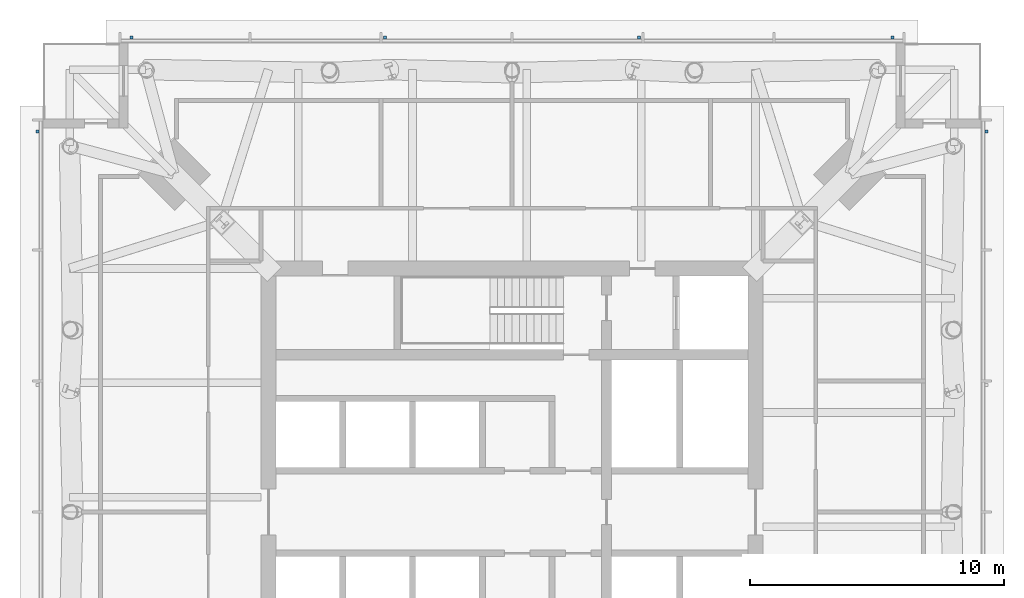
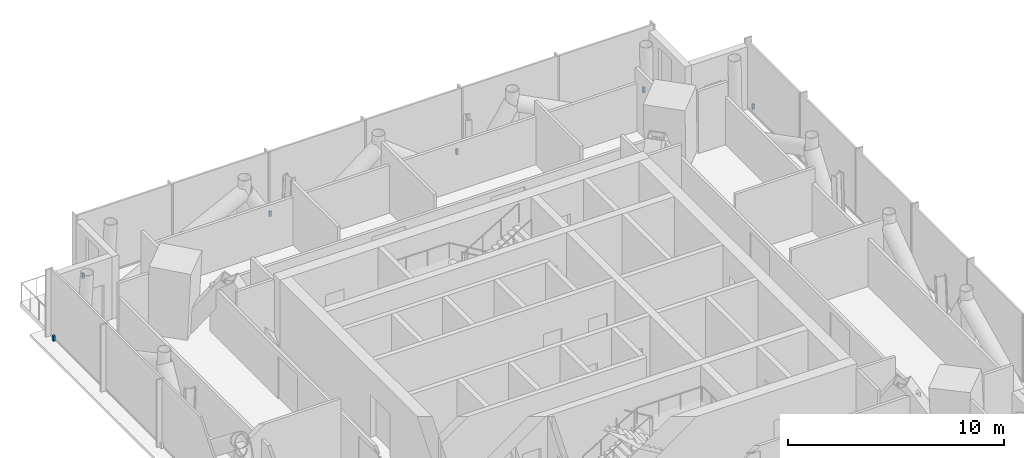
# One storey, part 9 of 10: 6 discrete accessories.
"""IFC4 building model written with IfcOpenShell, lengths in metres."""

from ifc_helpers import new_model, si_unit, direction, frame, origin, origin_2d, place, context, subcontext, project, spatial, rectangle, extrude, material, type_object, element, save


model = new_model("IFC4")

# Units and contexts
model_context = context("Model", 3, precision=1e-05, world=origin(), true_north=direction((0.0, 1.0)))
body_context = subcontext(model_context, "Body", "Model", "MODEL_VIEW")
ifc_project = project(units=[si_unit("LENGTHUNIT", "METRE"), si_unit("AREAUNIT", "SQUARE_METRE"), si_unit("VOLUMEUNIT", "CUBIC_METRE"), si_unit("PLANEANGLEUNIT", "RADIAN"), si_unit("MASSUNIT", "GRAM", prefix="KILO")], contexts=[model_context])

# Site, building, storey
site_placement = place(None, origin())
site = spatial("IfcSite", under=ifc_project, at=site_placement, CompositionType="ELEMENT")
building_placement = place(site_placement, origin())
building = spatial("IfcBuilding", under=site, at=building_placement, Name="Ostroluk Exchange", CompositionType="ELEMENT")
storey_placement = place(building_placement, frame((0.0, 0.0, 226.199951171875)))
storey = spatial("IfcBuildingStorey", under=building, at=storey_placement, Name="L58", CompositionType="ELEMENT", Elevation=226.199951171875)

# Discrete accessories
ifc_material = material(Name="Stainless steel", Category="steel")
discrete_accessory_type = type_object("IfcDiscreteAccessoryType", Name="Fall-arrest anchor PN-EN 795 type C", PredefinedType="USERDEFINED", material=ifc_material)
for number, where, z_axis, x_axis, name in (
    (1, (63.7099609375, 61.0, 0.0), (0.0, 0.0, 1.0), (1.0, 0.0, 0.0), "Fall-arrest anchor L58 east 4"),
    (2, (30.0, 64.7099609375, 0.0), (0.0, 0.0, 1.0), (1.0, 0.0, 0.0), "Fall-arrest anchor L58 north 1"),
    (3, (40.0, 64.7099609375, 0.0), (0.0, 0.0, 1.0), (1.0, 0.0, 0.0), "Fall-arrest anchor L58 north 2"),
    (4, (50.0, 64.7099609375, 0.0), (0.0, 0.0, 1.0), (1.0, 0.0, 0.0), "Fall-arrest anchor L58 north 3"),
    (5, (60.0, 64.7099609375, 0.0), (0.0, 0.0, 1.0), (1.0, 0.0, 0.0), "Fall-arrest anchor L58 north 4"),
    (6, (26.2900390625, 61.0, 0.0), (0.0, 0.0, 1.0), (1.0, 0.0, 0.0), "Fall-arrest anchor L58 west 4"),
):
    element("IfcDiscreteAccessory", number, at=place(storey_placement, frame(where, z_axis=z_axis, x_axis=x_axis)), inside=storey, type_object=discrete_accessory_type, Name=name, ObjectType="FALL ARREST ANCHOR", PredefinedType="USERDEFINED", context=body_context, shape_type="SweptSolid", body=[
        extrude(rectangle(XDim=0.1201171875, YDim=0.1201171875, at=origin_2d()), origin(), (0.0, 0.0, 1.0), 0.300048828125),
    ])

save(model, "model.ifc")
